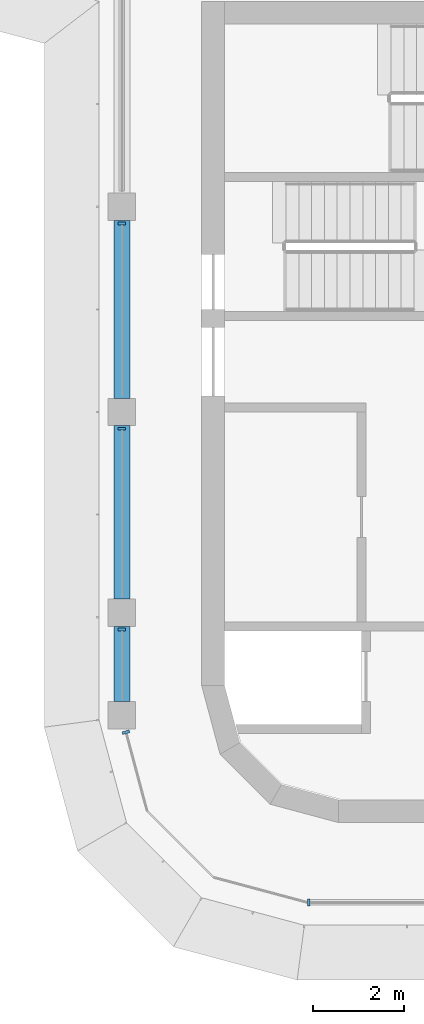
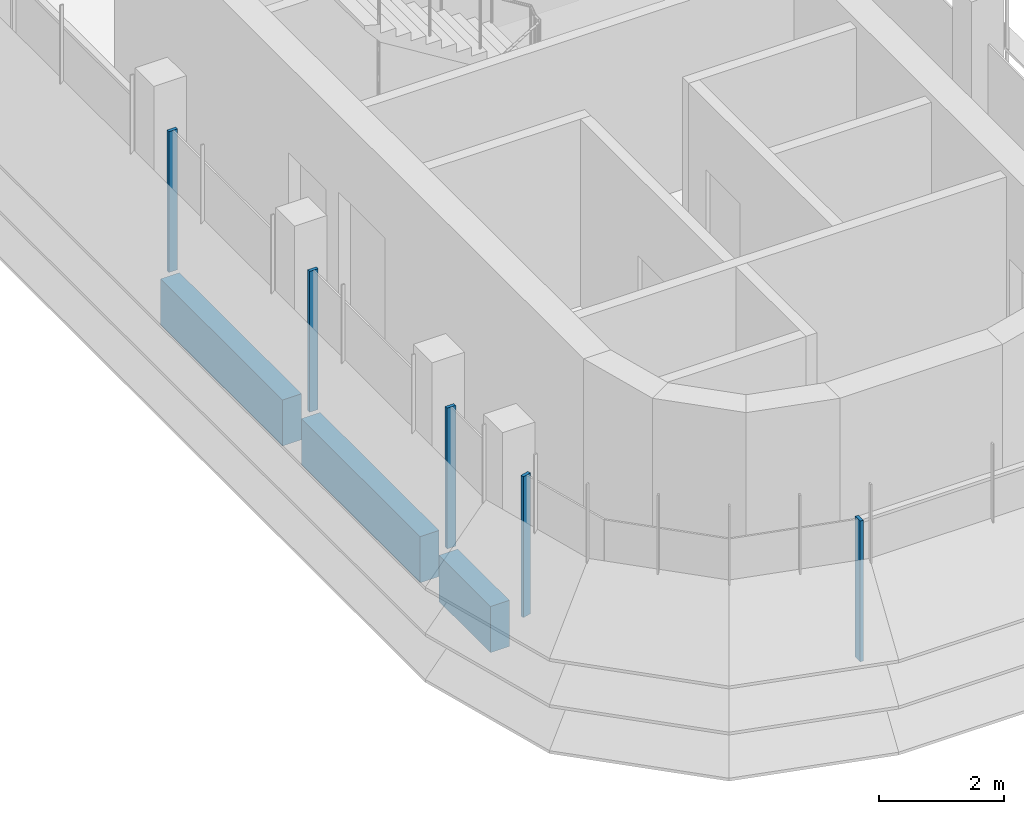
# One storey, part 2 of 20: 5 members, 3 beams, 3 elements without a shape of their own.
"""IFC4 building model written with IfcOpenShell, lengths in metres."""

from ifc_helpers import new_model, si_unit, direction, frame, origin, origin_2d, place, context, subcontext, project, spatial, polyline, rectangle, outline, extrude, source, transform, mapped, material, material_profile, profile_set, type_object, element, aggregate, save


model = new_model("IFC4")

# Units and contexts
model_context = context("Model", 3, precision=1e-05, world=origin(), true_north=direction((0.0, 1.0)))
body_context = subcontext(model_context, "Body", "Model", "MODEL_VIEW")
ifc_project = project(units=[si_unit("LENGTHUNIT", "METRE"), si_unit("AREAUNIT", "SQUARE_METRE"), si_unit("VOLUMEUNIT", "CUBIC_METRE"), si_unit("PLANEANGLEUNIT", "RADIAN"), si_unit("MASSUNIT", "GRAM", prefix="KILO")], contexts=[model_context])

# Site, building, storey
site_placement = place(None, origin())
site = spatial("IfcSite", under=ifc_project, at=site_placement, CompositionType="ELEMENT")
building_placement = place(site_placement, origin())
building = spatial("IfcBuilding", under=site, at=building_placement, Name="Zarbagh Exchange Tower", CompositionType="ELEMENT")
storey_placement = place(building_placement, frame((0.0, 0.0, 249.800048828125)))
storey = spatial("IfcBuildingStorey", under=building, at=storey_placement, Name="L61", CompositionType="ELEMENT", Elevation=249.800048828125)

# Beams
ifc_material_1 = material(Name="Concrete C40/50", Category="concrete")
ifc_material_profile = material_profile(ifc_material_1, rectangle(XDim=0.35009765625, YDim=0.89990234375, at=origin_2d()), Name="RC spandrel beam 350 x 900 C40/50")
ifc_profile_set = profile_set([ifc_material_profile], Name="Concrete C40/50")
beam_type = type_object("IfcBeamType", Name="RC spandrel beam 350 x 900 C40/50", PredefinedType="SPANDREL", material=ifc_profile_set)
beam_1_placement = place(storey_placement, frame((-6.25, -26.60009765625, -0.60009765625), z_axis=(0.0, 1.0, 0.0), x_axis=(-1.0, 0.0, 0.0)))
element("IfcBeam", 1, at=beam_1_placement, inside=storey, type_object=beam_type, Name="RC spandrel beam", PredefinedType="SPANDREL", context=body_context, shape_type="SweptSolid", body=[
    extrude(rectangle(XDim=0.35009765625, YDim=0.89990234375, at=origin_2d()), origin(), (0.0, 0.0, 1.0), 1.650146484375),
])
beam_2_placement = place(storey_placement, frame((-6.25, -24.35009765625, -0.60009765625), z_axis=(0.0, 1.0, 0.0), x_axis=(-1.0, 0.0, 0.0)))
element("IfcBeam", 2, at=beam_2_placement, inside=storey, type_object=beam_type, Name="RC spandrel beam", PredefinedType="SPANDREL", context=body_context, shape_type="SweptSolid", body=[
    extrude(rectangle(XDim=0.35009765625, YDim=0.89990234375, at=origin_2d()), origin(), (0.0, 0.0, 1.0), 3.800048828125),
])
beam_3_placement = place(storey_placement, frame((-6.25, -19.949951171875, -0.60009765625), z_axis=(0.0, 1.0, 0.0), x_axis=(-1.0, 0.0, 0.0)))
element("IfcBeam", 3, at=beam_3_placement, inside=storey, type_object=beam_type, Name="RC spandrel beam", PredefinedType="SPANDREL", context=body_context, shape_type="SweptSolid", body=[
    extrude(rectangle(XDim=0.35009765625, YDim=0.89990234375, at=origin_2d()), origin(), (0.0, 0.0, 1.0), 3.89990234375),
])

# Curtain wall, members
ifc_material_2 = material(Name="Anodised aluminium frame and glazing", Category="aluminium")
curtain_wall_type = type_object("IfcCurtainWallType", Name="CWB Ribbon glazing, upper zones", PredefinedType="NOTDEFINED", material=ifc_material_2)
curtain_wall_1_placement = place(storey_placement, origin())
curtain_wall_1 = element("IfcCurtainWall", 4, at=curtain_wall_1_placement, inside=storey, type_object=curtain_wall_type, Name="CWB53 curtain wall", PredefinedType="NOTDEFINED")
ifc_material_3 = material(Name="Anodised aluminium frame", Category="aluminium")
member_type = type_object("IfcMemberType", Name="MUB Mullion, anodised aluminium frame", PredefinedType="MULLION", material=ifc_material_3)
shared_shape = source(origin(), body_context, "Body", "SweptSolid", [
    extrude(outline(polyline([(0.0, -0.080078125), (0.06005859375, -0.080078125), (0.06005859375, 0.080078125), (0.0, 0.080078125), (0.0, -0.080078125)])), origin(), (0.0, 0.0, 1.0), 2.75),
])
placement = place(storey_placement, origin())
member_1 = element("IfcMember", 5, at=placement, type_object=member_type, Name="CWB53 mullion 2.1", PredefinedType="MULLION", context=body_context, shape_type="MappedRepresentation", body=[
    mapped(shared_shape, transform((-6.25, -16.090087890625, 0.0), x_axis=(0.0, -1.0, 0.0), y_axis=(1.0, 0.0, 0.0), z_axis=(0.0, 0.0, 1.0))),
])
member_2 = element("IfcMember", 6, at=placement, type_object=member_type, Name="CWB53 mullion 3.1", PredefinedType="MULLION", context=body_context, shape_type="MappedRepresentation", body=[
    mapped(shared_shape, transform((-6.25, -20.590087890625, 0.0), x_axis=(0.0, -1.0, 0.0), y_axis=(1.0, 0.0, 0.0), z_axis=(0.0, 0.0, 1.0))),
])
member_3 = element("IfcMember", 7, at=placement, type_object=member_type, Name="CWB53 mullion 4.1", PredefinedType="MULLION", context=body_context, shape_type="MappedRepresentation", body=[
    mapped(shared_shape, transform((-6.25, -24.989990234375, 0.0), x_axis=(0.0, -1.0, 0.0), y_axis=(1.0, 0.0, 0.0), z_axis=(0.0, 0.0, 1.0))),
])
aggregate(curtain_wall_1, [member_1, member_2, member_3])

# Curtain wall, member
curtain_wall_2_placement = place(storey_placement, origin())
curtain_wall_2 = element("IfcCurtainWall", 8, at=curtain_wall_2_placement, inside=storey, type_object=curtain_wall_type, Name="CWB54 curtain wall", PredefinedType="NOTDEFINED")
member_4 = element("IfcMember", 9, at=placement, type_object=member_type, Name="CWB54 mullion 1.1", PredefinedType="MULLION", context=body_context, shape_type="MappedRepresentation", body=[
    mapped(shared_shape, transform((-6.16796875, -27.239990234375, 0.0), x_axis=(0.258824779902, -0.965924289636, 0.0), y_axis=(0.965924289636, 0.258824779902, 0.0), z_axis=(0.0, 0.0, 1.0))),
])
aggregate(curtain_wall_2, [member_4])

curtain_wall_3_placement = place(storey_placement, origin())
curtain_wall_3 = element("IfcCurtainWall", 10, at=curtain_wall_3_placement, inside=storey, type_object=curtain_wall_type, Name="CWB57 curtain wall", PredefinedType="NOTDEFINED")
member_5 = element("IfcMember", 11, at=placement, type_object=member_type, Name="CWB57 mullion 1.1", PredefinedType="MULLION", context=body_context, shape_type="MappedRepresentation", body=[
    mapped(shared_shape, transform((-2.18408203125, -31.0, 0.0), x_axis=(1.0, 0.0, 0.0), y_axis=(0.0, 1.0, 0.0), z_axis=(0.0, 0.0, 1.0))),
])
aggregate(curtain_wall_3, [member_5])

save(model, "model.ifc")
